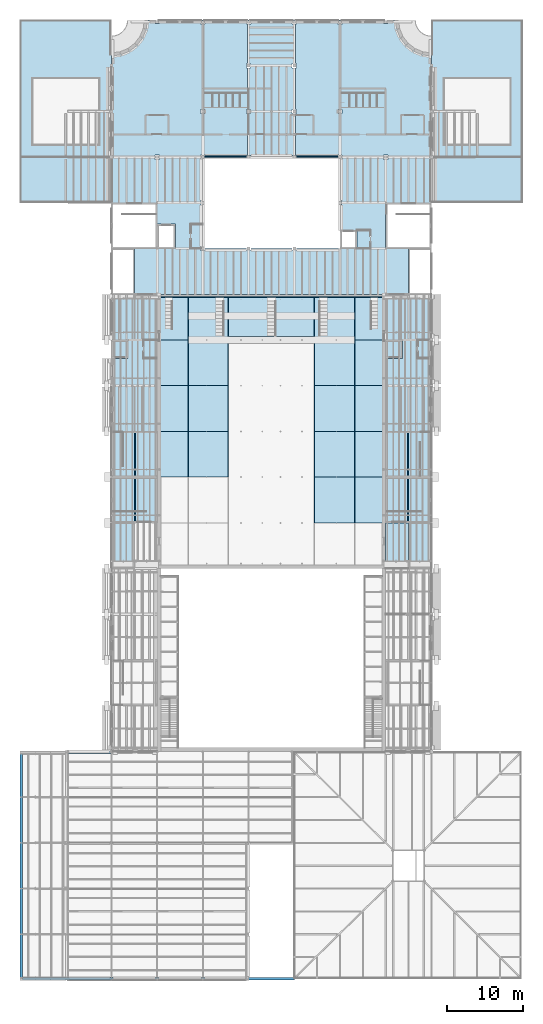
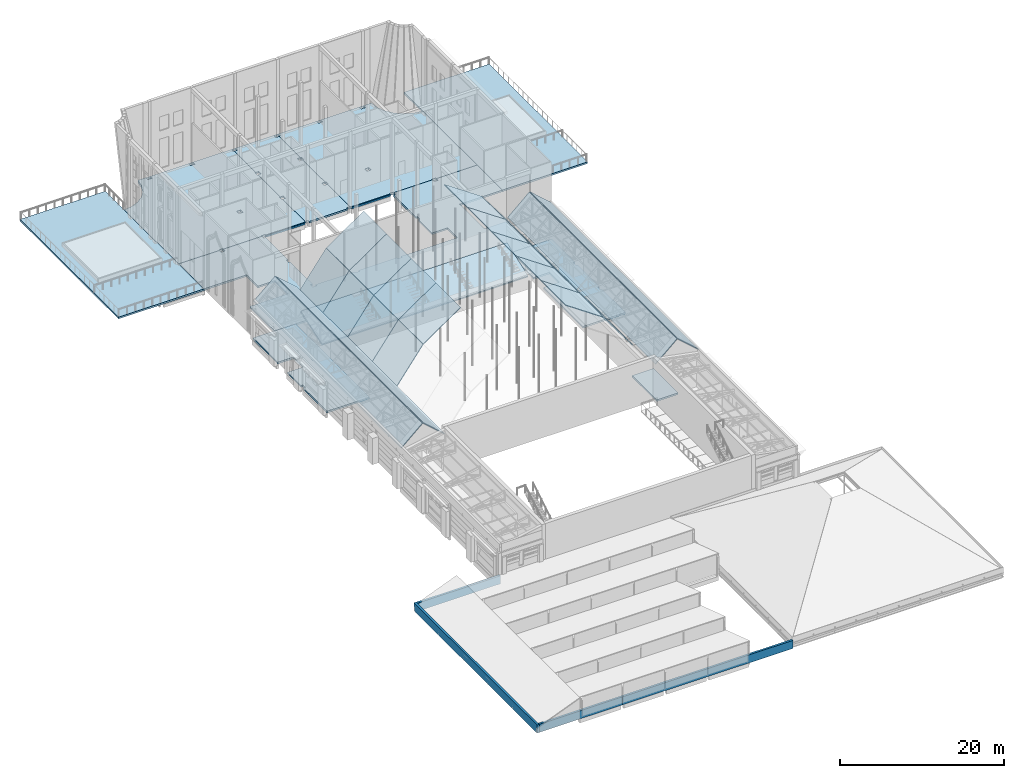
# One storey, part 59 of 118: 34 slabs, 4 walls, 3 elements without a shape of their own.
"""IFC4 building model written with IfcOpenShell, lengths in metres."""

from ifc_helpers import new_model, si_unit, direction, frame, frame_2d, origin, place, context, subcontext, project, spatial, polyline, rectangle, outline, extrude, material, layer, layer_set, type_object, element, aggregate, save


model = new_model("IFC4")

# Units and contexts
model_context = context("Model", 3, precision=1e-05, world=origin(), true_north=direction((0.0, 1.0)))
body_context = subcontext(model_context, "Body", "Model", "MODEL_VIEW")
ifc_project = project(units=[si_unit("LENGTHUNIT", "METRE"), si_unit("AREAUNIT", "SQUARE_METRE"), si_unit("VOLUMEUNIT", "CUBIC_METRE"), si_unit("PLANEANGLEUNIT", "RADIAN"), si_unit("MASSUNIT", "GRAM", prefix="KILO")], contexts=[model_context])

# Site, building, storey
site_placement = place(None, origin())
site = spatial("IfcSite", under=ifc_project, at=site_placement, CompositionType="ELEMENT")
building_placement = place(site_placement, origin())
building = spatial("IfcBuilding", under=site, at=building_placement, Name="Saffron Lane Theatres", CompositionType="ELEMENT")
storey_placement = place(building_placement, frame((0.0, 0.0, 16.5)))
storey = spatial("IfcBuildingStorey", under=building, at=storey_placement, Name="L03", CompositionType="ELEMENT", Elevation=16.5)

# Slabs
ifc_material_1 = material(Name="Concrete N40 (40 MPa)", Category="concrete")
ifc_layer_1 = layer(ifc_material_1, 0.25)
ifc_layer_set_1 = layer_set([ifc_layer_1], Name="Concrete N40 (40 MPa)")
slab_type_1 = type_object("IfcSlabType", Name="RC-SLAB FLOOR 250", PredefinedType="FLOOR", material=ifc_layer_set_1)
slab_1_placement = place(storey_placement, frame((0.0, 0.0, -0.25)))
element("IfcSlab", 1, at=slab_1_placement, inside=storey, type_object=slab_type_1, Name="slab-L03-AUD-2", PredefinedType="FLOOR", context=body_context, shape_type="SweptSolid", body=[
    extrude(outline(polyline([(48.0, 54.5), (48.0, 54.0), (51.0, 54.0), (51.0, 60.0), (48.0, 60.0), (48.0, 54.5)])), origin(), (0.0, 0.0, 1.0), 0.25),
])
slab_2_placement = place(storey_placement, frame((0.0, 0.0, -0.25)))
element("IfcSlab", 2, at=slab_2_placement, inside=storey, type_object=slab_type_1, Name="slab-L03-AUD-3", PredefinedType="FLOOR", context=body_context, shape_type="SweptSolid", body=[
    extrude(outline(polyline([(18.0, 72.0), (18.0, 90.0), (15.0, 90.0), (12.0, 90.0), (12.0, 84.0), (14.199951171875, 84.0), (14.199951171875, 81.60009765625), (12.0, 81.60009765625), (12.0, 78.302001953125), (12.22705078125, 78.302001953125), (12.22705078125, 77.697998046875), (12.0, 77.697998046875), (12.0, 72.0), (18.0, 72.0)])), origin(), (0.0, 0.0, 1.0), 0.25),
])
slab_3_placement = place(storey_placement, frame((0.0, 0.0, -0.25)))
element("IfcSlab", 3, at=slab_3_placement, inside=storey, type_object=slab_type_1, Name="slab-L03-AUD-4", PredefinedType="FLOOR", context=body_context, shape_type="SweptSolid", body=[
    extrude(outline(polyline([(48.0, 72.0), (54.0, 72.0), (54.0, 77.697998046875), (53.77294921875, 77.697998046875), (53.77294921875, 78.302001953125), (54.0, 78.302001953125), (54.0, 83.697998046875), (53.77294921875, 83.697998046875), (53.77294921875, 84.302001953125), (54.0, 84.302001953125), (54.0, 90.0), (51.0, 90.0), (48.0, 90.0), (48.0, 84.0), (50.199951171875, 84.0), (50.199951171875, 81.60009765625), (48.0, 81.60009765625), (48.0, 72.0)])), origin(), (0.0, 0.0, 1.0), 0.25),
])
slab_4_placement = place(storey_placement, frame((0.0, 0.0, -0.25)))
element("IfcSlab", 4, at=slab_4_placement, inside=storey, type_object=slab_type_1, Name="slab-L03-BRICK-1", PredefinedType="FLOOR", context=body_context, shape_type="SweptSolid", body=[
    extrude(outline(polyline([(18.5, 90.0), (47.5, 90.0), (48.0, 90.0), (51.0, 90.0), (51.0, 96.0), (48.0, 96.0), (48.0, 102.0), (54.0, 102.0), (54.0, 108.14990234375), (48.277099609375, 108.14990234375), (48.277099609375, 107.722900390625), (47.722900390625, 107.722900390625), (47.722900390625, 108.14990234375), (42.277099609375, 108.14990234375), (42.277099609375, 107.722900390625), (42.0, 107.722900390625), (42.0, 102.302001953125), (42.22705078125, 102.302001953125), (42.22705078125, 101.697998046875), (42.0, 101.697998046875), (42.0, 98.39990234375), (44.199951171875, 98.39990234375), (44.199951171875, 96.0), (42.0, 96.0), (36.302001953125, 96.0), (36.302001953125, 95.77294921875), (35.697998046875, 95.77294921875), (35.697998046875, 96.0), (30.302001953125, 96.0), (30.302001953125, 95.77294921875), (29.697998046875, 95.77294921875), (29.697998046875, 96.0), (24.277099609375, 96.0), (24.277099609375, 95.722900390625), (23.722900390625, 95.722900390625), (23.722900390625, 96.277099609375), (24.0, 96.277099609375), (24.0, 101.697998046875), (23.77294921875, 101.697998046875), (23.77294921875, 102.302001953125), (24.0, 102.302001953125), (24.0, 107.722900390625), (23.722900390625, 107.722900390625), (23.722900390625, 108.14990234375), (18.277099609375, 108.14990234375), (18.277099609375, 107.722900390625), (17.722900390625, 107.722900390625), (17.722900390625, 108.14990234375), (12.0, 108.14990234375), (12.0, 102.0), (18.0, 102.0), (18.0, 99.199951171875), (20.39990234375, 99.199951171875), (20.39990234375, 96.0), (18.0, 96.0), (15.0, 96.0), (15.0, 90.0), (18.0, 90.0), (18.5, 90.0)])), origin(), (0.0, 0.0, 1.0), 0.25),
])
slab_5_placement = place(storey_placement, frame((0.0, 0.0, -0.25)))
element("IfcSlab", 5, at=slab_5_placement, inside=storey, type_object=slab_type_1, Name="slab-L03-BRICK-2", PredefinedType="FLOOR", context=body_context, shape_type="SweptSolid", body=[
    extrude(outline(polyline([(24.277099609375, 108.0), (29.697998046875, 108.0), (29.697998046875, 108.14990234375), (24.277099609375, 108.14990234375), (24.277099609375, 108.0)])), origin(), (0.0, 0.0, 1.0), 0.25),
])
slab_6_placement = place(storey_placement, frame((0.0, 0.0, -0.25)))
element("IfcSlab", 6, at=slab_6_placement, inside=storey, type_object=slab_type_1, Name="slab-L03-BRICK-3", PredefinedType="FLOOR", context=body_context, shape_type="SweptSolid", body=[
    extrude(outline(polyline([(36.14990234375, 125.951416015625), (36.14990234375, 125.99951171875), (29.85009765625, 125.99951171875), (29.85009765625, 125.951416015625), (30.302001953125, 125.951416015625), (30.302001953125, 125.49755859375), (29.85009765625, 125.49755859375), (29.85009765625, 120.277099609375), (30.277099609375, 120.277099609375), (30.277099609375, 119.722900390625), (29.85009765625, 119.722900390625), (29.85009765625, 114.277099609375), (30.277099609375, 114.277099609375), (30.277099609375, 113.722900390625), (29.85009765625, 113.722900390625), (29.85009765625, 108.22705078125), (30.302001953125, 108.22705078125), (30.302001953125, 108.0), (35.697998046875, 108.0), (35.697998046875, 108.22705078125), (36.14990234375, 108.22705078125), (36.14990234375, 113.722900390625), (35.722900390625, 113.722900390625), (35.722900390625, 114.277099609375), (36.14990234375, 114.277099609375), (36.14990234375, 119.722900390625), (35.722900390625, 119.722900390625), (35.722900390625, 120.277099609375), (36.14990234375, 120.277099609375), (36.14990234375, 125.49755859375), (35.697998046875, 125.49755859375), (35.697998046875, 125.951416015625), (36.14990234375, 125.951416015625)])), origin(), (0.0, 0.0, 1.0), 0.25),
])
slab_7_placement = place(storey_placement, frame((0.0, 0.0, -0.25)))
element("IfcSlab", 7, at=slab_7_placement, inside=storey, type_object=slab_type_1, Name="slab-L03-BRICK-4", PredefinedType="FLOOR", context=body_context, shape_type="SweptSolid", body=[
    extrude(outline(polyline([(36.302001953125, 108.0), (41.722900390625, 108.0), (41.722900390625, 108.14990234375), (36.302001953125, 108.14990234375), (36.302001953125, 108.0)])), origin(), (0.0, 0.0, 1.0), 0.25),
])
ifc_material_2 = material(Name="Concrete N40 (40 MPa)", Category="concrete")
ifc_layer_2 = layer(ifc_material_2, 0.35009765625)
ifc_layer_set_2 = layer_set([ifc_layer_2], Name="Concrete N40 (40 MPa)")
slab_type_2 = type_object("IfcSlabType", Name="RC-SLAB FLOOR 350", PredefinedType="FLOOR", material=ifc_layer_set_2)
slab_8_placement = place(storey_placement, frame((0.0, 0.0, -0.35009765625)))
element("IfcSlab", 8, at=slab_8_placement, inside=storey, type_object=slab_type_2, Name="slab-L03-BRICK-front-1", PredefinedType="FLOOR", context=body_context, shape_type="SweptSolid", body=[
    extrude(outline(polyline([(13.181884765625, 121.588623046875), (12.0, 121.43310546875), (12.0, 108.14990234375), (17.722900390625, 108.14990234375), (17.722900390625, 108.277099609375), (18.277099609375, 108.277099609375), (18.277099609375, 108.14990234375), (23.722900390625, 108.14990234375), (23.722900390625, 108.277099609375), (24.277099609375, 108.277099609375), (24.277099609375, 108.14990234375), (29.697998046875, 108.14990234375), (29.697998046875, 108.22705078125), (29.85009765625, 108.22705078125), (29.85009765625, 113.722900390625), (29.722900390625, 113.722900390625), (29.722900390625, 114.277099609375), (29.85009765625, 114.277099609375), (29.85009765625, 119.722900390625), (29.722900390625, 119.722900390625), (29.722900390625, 120.277099609375), (29.85009765625, 120.277099609375), (29.85009765625, 125.49755859375), (29.697998046875, 125.49755859375), (29.697998046875, 125.951416015625), (29.85009765625, 125.951416015625), (29.85009765625, 125.99951171875), (16.56640625, 125.99951171875), (16.410888671875, 124.817626953125), (15.95458984375, 123.71630859375), (15.22900390625, 122.7705078125), (14.283203125, 122.044921875), (13.181884765625, 121.588623046875)]), holes=[polyline([(24.302001953125, 125.951416015625), (24.302001953125, 125.49755859375), (23.697998046875, 125.49755859375), (23.697998046875, 125.951416015625), (24.302001953125, 125.951416015625)]), polyline([(24.277099609375, 114.277099609375), (24.277099609375, 113.722900390625), (23.722900390625, 113.722900390625), (23.722900390625, 114.277099609375), (24.277099609375, 114.277099609375)]), polyline([(18.302001953125, 125.9765625), (18.302001953125, 125.5224609375), (17.697998046875, 125.5224609375), (17.697998046875, 125.9765625), (18.302001953125, 125.9765625)])]), origin(), (0.0, 0.0, 1.0), 0.35009765625),
])
slab_9_placement = place(storey_placement, frame((0.0, 0.0, -0.35009765625)))
element("IfcSlab", 9, at=slab_9_placement, inside=storey, type_object=slab_type_2, Name="slab-L03-BRICK-front-2", PredefinedType="FLOOR", context=body_context, shape_type="SweptSolid", body=[
    extrude(outline(polyline([(49.589111328125, 124.817626953125), (49.43359375, 125.99951171875), (36.14990234375, 125.99951171875), (36.14990234375, 125.951416015625), (36.302001953125, 125.951416015625), (36.302001953125, 125.49755859375), (36.14990234375, 125.49755859375), (36.14990234375, 120.277099609375), (36.277099609375, 120.277099609375), (36.277099609375, 119.722900390625), (36.14990234375, 119.722900390625), (36.14990234375, 114.277099609375), (36.277099609375, 114.277099609375), (36.277099609375, 113.722900390625), (36.14990234375, 113.722900390625), (36.14990234375, 108.22705078125), (36.302001953125, 108.22705078125), (36.302001953125, 108.14990234375), (41.722900390625, 108.14990234375), (41.722900390625, 108.277099609375), (42.277099609375, 108.277099609375), (42.277099609375, 108.14990234375), (47.722900390625, 108.14990234375), (47.722900390625, 108.277099609375), (48.277099609375, 108.277099609375), (48.277099609375, 108.14990234375), (54.0, 108.14990234375), (54.0, 121.43310546875), (52.818115234375, 121.588623046875), (51.716796875, 122.044921875), (50.77099609375, 122.7705078125), (50.04541015625, 123.71630859375), (49.589111328125, 124.817626953125)]), holes=[polyline([(48.302001953125, 125.5224609375), (47.697998046875, 125.5224609375), (47.697998046875, 125.9765625), (48.302001953125, 125.9765625), (48.302001953125, 125.5224609375)]), polyline([(42.302001953125, 125.951416015625), (42.302001953125, 125.49755859375), (41.697998046875, 125.49755859375), (41.697998046875, 125.951416015625), (42.302001953125, 125.951416015625)]), polyline([(42.277099609375, 114.277099609375), (42.277099609375, 113.722900390625), (41.722900390625, 113.722900390625), (41.722900390625, 114.277099609375), (42.277099609375, 114.277099609375)])]), origin(), (0.0, 0.0, 1.0), 0.35009765625),
])
ifc_material_3 = material(Name="Concrete N40 (40 MPa)", Category="concrete")
ifc_layer_3 = layer(ifc_material_3, 0.25)
ifc_layer_set_3 = layer_set([ifc_layer_3], Name="Concrete N40 (40 MPa)")
slab_type_3 = type_object("IfcSlabType", Name="RC-SLAB ROOF 250", PredefinedType="ROOF", material=ifc_layer_set_3)
slab_10_placement = place(storey_placement, frame((0.0, 0.0, -0.25)))
element("IfcSlab", 10, at=slab_10_placement, inside=storey, type_object=slab_type_3, Name="roofslab-roof-wing-w", PredefinedType="ROOF", context=body_context, shape_type="SweptSolid", body=[
    extrude(outline(polyline([(12.0, 102.0), (12.0, 125.99951171875), (0.00048828125, 125.99951171875), (0.00048828125, 102.0), (12.0, 102.0)])), origin(), (0.0, 0.0, 1.0), 0.25),
])
slab_11_placement = place(storey_placement, frame((0.0, 0.0, -0.25)))
element("IfcSlab", 11, at=slab_11_placement, inside=storey, type_object=slab_type_3, Name="roofslab-roof-wing-e", PredefinedType="ROOF", context=body_context, shape_type="SweptSolid", body=[
    extrude(outline(polyline([(54.0, 102.0), (65.99951171875, 102.0), (65.99951171875, 125.99951171875), (54.0, 125.99951171875), (54.0, 102.0)])), origin(), (0.0, 0.0, 1.0), 0.25),
])
ifc_material_4 = material(Name="Concrete N40 (40 MPa)", Category="concrete")
ifc_layer_4 = layer(ifc_material_4, 0.25)
ifc_layer_set_4 = layer_set([ifc_layer_4], Name="Concrete N40 (40 MPa)")
slab_type_4 = type_object("IfcSlabType", Name="RC-SLAB TIER 250", PredefinedType="NOTDEFINED", material=ifc_layer_set_4)
slab_12_placement = place(storey_placement, frame((18.5, 84.449951171875, 0.157470703125), z_axis=(0.0, -0.330340459589, 0.943861844106), x_axis=(1.0, 0.0, 0.0)))
element("IfcSlab", 12, at=slab_12_placement, inside=storey, type_object=slab_type_4, Name="Upper Circle Deck", ObjectType="SEATING TIER", PredefinedType="NOTDEFINED", context=body_context, shape_type="SweptSolid", body=[
    extrude(outline(polyline([(0.0, 0.0), (29.0, 0.0), (29.0, 5.456462210584567), (0.0, 5.456462210584567), (0.0, 0.0)])), origin(), (0.0, 0.0, -1.0), 0.25),
])

# Roof, slabs
roof_1_placement = place(storey_placement, origin())
roof_1 = element("IfcRoof", 13, at=roof_1_placement, inside=storey, Name="SB1-R1", PredefinedType="GABLE_ROOF")
ifc_material_5 = material(Name="Steel Grade 350 insulated roof deck", Category="steel")
ifc_layer_5 = layer(ifc_material_5, 0.10009765625)
ifc_layer_set_5 = layer_set([ifc_layer_5], Name="Steel Grade 350 insulated roof deck")
slab_type_5 = type_object("IfcSlabType", Name="ST-STUDIO ROOF DECK", PredefinedType="ROOF", material=ifc_layer_set_5)
slab_13_placement = place(storey_placement, frame((12.0, 54.0, 5.4248046875), z_axis=(-0.663408465914, 0.0, 0.748257447243), x_axis=(0.748257447243, 0.0, 0.663408465914)))
slab_13 = element("IfcSlab", 14, at=slab_13_placement, type_object=slab_type_5, Name="SB1-D1", PredefinedType="ROOF", context=body_context, shape_type="SweptSolid", body=[
    extrude(outline(polyline([(0.0, 0.0), (4.062824999207095, 0.0), (4.062824999207095, 36.0), (0.0, 36.0), (0.0, 0.0)])), origin(), (0.0, 0.0, -1.0), 0.10009765625),
])
slab_14_placement = place(storey_placement, frame((15.159912109375, 54.0, 8.1201171875), z_axis=(0.663408465914, 0.0, 0.748257447243), x_axis=(0.748257447243, 0.0, -0.663408465914)))
slab_14 = element("IfcSlab", 15, at=slab_14_placement, type_object=slab_type_5, Name="SB1-D2", PredefinedType="ROOF", context=body_context, shape_type="SweptSolid", body=[
    extrude(outline(polyline([(0.0, 0.0), (4.062824999207095, 0.0), (4.062824999207095, 36.0), (0.0, 36.0), (0.0, 0.0)])), origin(), (0.0, 0.0, -1.0), 0.10009765625),
])
aggregate(roof_1, [slab_13, slab_14])

roof_2_placement = place(storey_placement, origin())
roof_2 = element("IfcRoof", 16, at=roof_2_placement, inside=storey, Name="SB2-R1", PredefinedType="GABLE_ROOF")
slab_15_placement = place(storey_placement, frame((54.0, 54.0, 5.4248046875), z_axis=(0.663408465914, 0.0, 0.748257447243), x_axis=(-0.748257447243, 0.0, 0.663408465914)))
slab_15 = element("IfcSlab", 17, at=slab_15_placement, type_object=slab_type_5, Name="SB2-D1", PredefinedType="ROOF", context=body_context, shape_type="SweptSolid", body=[
    extrude(outline(polyline([(0.0, 0.0), (4.062824999207095, 0.0), (4.062824999207095, -36.0), (0.0, -36.0), (0.0, 0.0)])), origin(), (0.0, 0.0, -1.0), 0.10009765625),
])
slab_16_placement = place(storey_placement, frame((50.840087890625, 54.0, 8.1201171875), z_axis=(-0.663408465914, 0.0, 0.748257447243), x_axis=(-0.748257447243, 0.0, -0.663408465914)))
slab_16 = element("IfcSlab", 18, at=slab_16_placement, type_object=slab_type_5, Name="SB2-D2", PredefinedType="ROOF", context=body_context, shape_type="SweptSolid", body=[
    extrude(outline(polyline([(0.0, 0.0), (4.062824999207095, 0.0), (4.062824999207095, -36.0), (0.0, -36.0), (0.0, 0.0)])), origin(), (0.0, 0.0, -1.0), 0.10009765625),
])
aggregate(roof_2, [slab_15, slab_16])

roof_3_placement = place(storey_placement, origin())
roof_3 = element("IfcRoof", 19, at=roof_3_placement, inside=storey, Name="Barrel vault V1", PredefinedType="BARREL_ROOF")
ifc_material_6 = material(Name="Steel Grade 350 insulated roof deck", Category="steel")
ifc_layer_6 = layer(ifc_material_6, 0.10009765625)
ifc_layer_set_6 = layer_set([ifc_layer_6], Name="Steel Grade 350 insulated roof deck")
slab_type_6 = type_object("IfcSlabType", Name="ST-VAULT DECK", PredefinedType="ROOF", material=ifc_layer_set_6)
slab_17_placement = place(storey_placement, frame((38.67626953125, 60.0, 13.746337890625), z_axis=(0.567334607159, 0.0, 0.823487366946), x_axis=(0.823487366946, 0.0, -0.567334607159)))
slab_17 = element("IfcSlab", 20, at=slab_17_placement, type_object=slab_type_6, Name="VD2G", PredefinedType="ROOF", context=body_context, shape_type="SweptSolid", body=[
    extrude(outline(polyline([(0.0, 0.0), (6.388666710987062, 0.0), (6.388666710987062, 6.0), (0.0, 6.0), (0.0, 0.0)])), origin(), (0.0, 0.0, -1.0), 0.10009765625),
])
slab_18_placement = place(storey_placement, frame((43.9609375, 60.0, 10.09912109375), z_axis=(0.802199961545, 0.0, 0.597055459481), x_axis=(0.597055459481, 0.0, -0.802199961545)))
slab_18 = element("IfcSlab", 21, at=slab_18_placement, type_object=slab_type_6, Name="VD2H", PredefinedType="ROOF", context=body_context, shape_type="SweptSolid", body=[
    extrude(outline(polyline([(0.0, 0.0), (6.868015143956255, 0.0), (6.868015143956255, 5.999999999999999), (0.0, 5.999999999999999), (0.0, 0.0)])), origin(), (0.0, 0.0, -1.0), 0.10009765625),
])
slab_19_placement = place(storey_placement, frame((17.9384765625, 66.0, 4.589599609375), z_axis=(-0.802199961545, 0.0, 0.597055459481), x_axis=(0.597055459481, 0.0, 0.802199961545)))
slab_19 = element("IfcSlab", 22, at=slab_19_placement, type_object=slab_type_6, Name="VD3A", PredefinedType="ROOF", context=body_context, shape_type="SweptSolid", body=[
    extrude(outline(polyline([(0.0, 0.0), (6.868015143956255, 0.0), (6.868015143956255, 5.999999999999999), (0.0, 5.999999999999999), (0.0, 0.0)])), origin(), (0.0, 0.0, -1.0), 0.10009765625),
])
slab_20_placement = place(storey_placement, frame((22.062744140625, 66.0, 10.121826171875), z_axis=(-0.567334607159, 0.0, 0.823487366946), x_axis=(0.823487366946, 0.0, 0.567334607159)))
slab_20 = element("IfcSlab", 23, at=slab_20_placement, type_object=slab_type_6, Name="VD3B", PredefinedType="ROOF", context=body_context, shape_type="SweptSolid", body=[
    extrude(outline(polyline([(0.0, 0.0), (6.388666710987062, 0.0), (6.388666710987062, 6.0), (0.0, 6.0), (0.0, 0.0)])), origin(), (0.0, 0.0, -1.0), 0.10009765625),
])
slab_21_placement = place(storey_placement, frame((38.67626953125, 66.0, 13.746337890625), z_axis=(0.567334607159, 0.0, 0.823487366946), x_axis=(0.823487366946, 0.0, -0.567334607159)))
slab_21 = element("IfcSlab", 24, at=slab_21_placement, type_object=slab_type_6, Name="VD3G", PredefinedType="ROOF", context=body_context, shape_type="SweptSolid", body=[
    extrude(outline(polyline([(0.0, 0.0), (6.388666710987062, 0.0), (6.388666710987062, 6.0), (0.0, 6.0), (0.0, 0.0)])), origin(), (0.0, 0.0, -1.0), 0.10009765625),
])
slab_22_placement = place(storey_placement, frame((43.9609375, 66.0, 10.09912109375), z_axis=(0.802199961545, 0.0, 0.597055459481), x_axis=(0.597055459481, 0.0, -0.802199961545)))
slab_22 = element("IfcSlab", 25, at=slab_22_placement, type_object=slab_type_6, Name="VD3H", PredefinedType="ROOF", context=body_context, shape_type="SweptSolid", body=[
    extrude(outline(polyline([(0.0, 0.0), (6.868015143956255, 0.0), (6.868015143956255, 5.999999999999999), (0.0, 5.999999999999999), (0.0, 0.0)])), origin(), (0.0, 0.0, -1.0), 0.10009765625),
])
slab_23_placement = place(storey_placement, frame((17.9384765625, 72.0, 4.589599609375), z_axis=(-0.802199961545, 0.0, 0.597055459481), x_axis=(0.597055459481, 0.0, 0.802199961545)))
slab_23 = element("IfcSlab", 26, at=slab_23_placement, type_object=slab_type_6, Name="VD4A", PredefinedType="ROOF", context=body_context, shape_type="SweptSolid", body=[
    extrude(outline(polyline([(0.0, 0.0), (6.868015143956255, 0.0), (6.868015143956255, 5.999999999999999), (0.0, 5.999999999999999), (0.0, 0.0)])), origin(), (0.0, 0.0, -1.0), 0.10009765625),
])
slab_24_placement = place(storey_placement, frame((22.062744140625, 72.0, 10.121826171875), z_axis=(-0.567334607159, 0.0, 0.823487366946), x_axis=(0.823487366946, 0.0, 0.567334607159)))
slab_24 = element("IfcSlab", 27, at=slab_24_placement, type_object=slab_type_6, Name="VD4B", PredefinedType="ROOF", context=body_context, shape_type="SweptSolid", body=[
    extrude(outline(polyline([(0.0, 0.0), (6.388666710987062, 0.0), (6.388666710987062, 6.0), (0.0, 6.0), (0.0, 0.0)])), origin(), (0.0, 0.0, -1.0), 0.10009765625),
])
slab_25_placement = place(storey_placement, frame((38.67626953125, 72.0, 13.746337890625), z_axis=(0.567334607159, 0.0, 0.823487366946), x_axis=(0.823487366946, 0.0, -0.567334607159)))
slab_25 = element("IfcSlab", 28, at=slab_25_placement, type_object=slab_type_6, Name="VD4G", PredefinedType="ROOF", context=body_context, shape_type="SweptSolid", body=[
    extrude(outline(polyline([(0.0, 0.0), (6.388666710987062, 0.0), (6.388666710987062, 6.0), (0.0, 6.0), (0.0, 0.0)])), origin(), (0.0, 0.0, -1.0), 0.10009765625),
])
slab_26_placement = place(storey_placement, frame((43.9609375, 72.0, 10.09912109375), z_axis=(0.802199961545, 0.0, 0.597055459481), x_axis=(0.597055459481, 0.0, -0.802199961545)))
slab_26 = element("IfcSlab", 29, at=slab_26_placement, type_object=slab_type_6, Name="VD4H", PredefinedType="ROOF", context=body_context, shape_type="SweptSolid", body=[
    extrude(outline(polyline([(0.0, 0.0), (6.868015143956255, 0.0), (6.868015143956255, 5.999999999999999), (0.0, 5.999999999999999), (0.0, 0.0)])), origin(), (0.0, 0.0, -1.0), 0.10009765625),
])
slab_27_placement = place(storey_placement, frame((17.9384765625, 78.0, 4.589599609375), z_axis=(-0.802199961545, 0.0, 0.597055459481), x_axis=(0.597055459481, 0.0, 0.802199961545)))
slab_27 = element("IfcSlab", 30, at=slab_27_placement, type_object=slab_type_6, Name="VD5A", PredefinedType="ROOF", context=body_context, shape_type="SweptSolid", body=[
    extrude(outline(polyline([(0.0, 0.0), (6.868015143956255, 0.0), (6.868015143956255, 5.999999999999999), (0.0, 5.999999999999999), (0.0, 0.0)])), origin(), (0.0, 0.0, -1.0), 0.10009765625),
])
slab_28_placement = place(storey_placement, frame((22.062744140625, 78.0, 10.121826171875), z_axis=(-0.567334607159, 0.0, 0.823487366946), x_axis=(0.823487366946, 0.0, 0.567334607159)))
slab_28 = element("IfcSlab", 31, at=slab_28_placement, type_object=slab_type_6, Name="VD5B", PredefinedType="ROOF", context=body_context, shape_type="SweptSolid", body=[
    extrude(outline(polyline([(0.0, 0.0), (6.388666710987062, 0.0), (6.388666710987062, 6.0), (0.0, 6.0), (0.0, 0.0)])), origin(), (0.0, 0.0, -1.0), 0.10009765625),
])
slab_29_placement = place(storey_placement, frame((38.67626953125, 78.0, 13.746337890625), z_axis=(0.567334607159, 0.0, 0.823487366946), x_axis=(0.823487366946, 0.0, -0.567334607159)))
slab_29 = element("IfcSlab", 32, at=slab_29_placement, type_object=slab_type_6, Name="VD5G", PredefinedType="ROOF", context=body_context, shape_type="SweptSolid", body=[
    extrude(outline(polyline([(0.0, 0.0), (6.388666710987062, 0.0), (6.388666710987062, 6.0), (0.0, 6.0), (0.0, 0.0)])), origin(), (0.0, 0.0, -1.0), 0.10009765625),
])
slab_30_placement = place(storey_placement, frame((43.9609375, 78.0, 10.09912109375), z_axis=(0.802199961545, 0.0, 0.597055459481), x_axis=(0.597055459481, 0.0, -0.802199961545)))
slab_30 = element("IfcSlab", 33, at=slab_30_placement, type_object=slab_type_6, Name="VD5H", PredefinedType="ROOF", context=body_context, shape_type="SweptSolid", body=[
    extrude(outline(polyline([(0.0, 0.0), (6.868015143956255, 0.0), (6.868015143956255, 5.999999999999999), (0.0, 5.999999999999999), (0.0, 0.0)])), origin(), (0.0, 0.0, -1.0), 0.10009765625),
])
slab_31_placement = place(storey_placement, frame((17.9384765625, 84.0, 4.589599609375), z_axis=(-0.802199961545, 0.0, 0.597055459481), x_axis=(0.597055459481, 0.0, 0.802199961545)))
slab_31 = element("IfcSlab", 34, at=slab_31_placement, type_object=slab_type_6, Name="VD6A", PredefinedType="ROOF", context=body_context, shape_type="SweptSolid", body=[
    extrude(outline(polyline([(0.0, 0.0), (6.868015143956255, 0.0), (6.868015143956255, 5.60009765625), (0.0, 5.60009765625), (0.0, 0.0)])), origin(), (0.0, 0.0, -1.0), 0.10009765625),
])
slab_32_placement = place(storey_placement, frame((22.062744140625, 84.0, 10.121826171875), z_axis=(-0.567334607159, 0.0, 0.823487366946), x_axis=(0.823487366946, 0.0, 0.567334607159)))
slab_32 = element("IfcSlab", 35, at=slab_32_placement, type_object=slab_type_6, Name="VD6B", PredefinedType="ROOF", context=body_context, shape_type="SweptSolid", body=[
    extrude(outline(polyline([(0.0, 0.0), (6.388666710987062, 0.0), (6.388666710987062, 5.60009765625), (0.0, 5.60009765625), (0.0, 0.0)])), origin(), (0.0, 0.0, -1.0), 0.10009765625),
])
slab_33_placement = place(storey_placement, frame((38.67626953125, 84.0, 13.746337890625), z_axis=(0.567334607159, 0.0, 0.823487366946), x_axis=(0.823487366946, 0.0, -0.567334607159)))
slab_33 = element("IfcSlab", 36, at=slab_33_placement, type_object=slab_type_6, Name="VD6G", PredefinedType="ROOF", context=body_context, shape_type="SweptSolid", body=[
    extrude(outline(polyline([(0.0, 0.0), (6.388666710987062, 0.0), (6.388666710987062, 5.60009765625), (0.0, 5.60009765625), (0.0, 0.0)])), origin(), (0.0, 0.0, -1.0), 0.10009765625),
])
slab_34_placement = place(storey_placement, frame((43.9609375, 84.0, 10.09912109375), z_axis=(0.802199961545, 0.0, 0.597055459481), x_axis=(0.597055459481, 0.0, -0.802199961545)))
slab_34 = element("IfcSlab", 37, at=slab_34_placement, type_object=slab_type_6, Name="VD6H", PredefinedType="ROOF", context=body_context, shape_type="SweptSolid", body=[
    extrude(outline(polyline([(0.0, 0.0), (6.868015143956255, 0.0), (6.868015143956255, 5.60009765625), (0.0, 5.60009765625), (0.0, 0.0)])), origin(), (0.0, 0.0, -1.0), 0.10009765625),
])
aggregate(roof_3, [slab_17, slab_18, slab_19, slab_20, slab_21, slab_22, slab_23, slab_24, slab_25, slab_26, slab_27, slab_28, slab_29, slab_30, slab_31, slab_32, slab_33, slab_34])

# Walls
ifc_material_7 = material(Name="Masonry pale clay brick", Category="masonry")
ifc_layer_7 = layer(ifc_material_7, 0.11, Name="outer leaf")
ifc_layer_8 = layer(ifc_material_7, 0.08, Name="core")
ifc_layer_9 = layer(ifc_material_7, 0.11, Name="inner leaf")
ifc_layer_set_7 = layer_set([ifc_layer_7, ifc_layer_8, ifc_layer_9], Name="Masonry pale clay brick")
wall_type = type_object("IfcWallType", Name="EX-PARAPET BRICK 300", PredefinedType="PARAPET", material=ifc_layer_set_7)
wall_1_placement = place(storey_placement, frame((0.152099609375, 0.001953125, 0.0), z_axis=(0.0, 0.0, 1.0), x_axis=(0.0, 1.0, 0.0)))
element("IfcWall", 38, at=wall_1_placement, inside=storey, type_object=wall_type, Name="Parapet workshop roof", PredefinedType="PARAPET", context=body_context, shape_type="SweptSolid", body=[
    extrude(rectangle(XDim=29.998046875, YDim=0.300048828125, at=frame_2d((14.9990234375, 0.0))), origin(), (0.0, 0.0, 1.0), 1.199951171875),
])
wall_2_placement = place(storey_placement, frame((0.300048828125, 0.152099609375, 0.0), z_axis=(0.0, 0.0, 1.0), x_axis=(1.0, 0.0, 0.0)))
element("IfcWall", 39, at=wall_2_placement, inside=storey, type_object=wall_type, Name="Parapet workshop roof", PredefinedType="PARAPET", context=body_context, shape_type="SweptSolid", body=[
    extrude(rectangle(XDim=11.699951171875, YDim=0.300048828125, at=frame_2d((5.85009765625, 0.0))), origin(), (0.0, 0.0, 1.0), 1.199951171875),
])
wall_3_placement = place(storey_placement, frame((12.0, 0.152099609375, 0.0), z_axis=(0.0, 0.0, 1.0), x_axis=(1.0, 0.0, 0.0)))
element("IfcWall", 40, at=wall_3_placement, inside=storey, type_object=wall_type, Name="Parapet workshop roof", PredefinedType="PARAPET", context=body_context, shape_type="SweptSolid", body=[
    extrude(rectangle(XDim=24.0, YDim=0.300048828125, at=frame_2d((12.0, 0.0))), origin(), (0.0, 0.0, 1.0), 1.199951171875),
])
wall_4_placement = place(storey_placement, frame((0.300048828125, 29.85009765625, 0.0), z_axis=(0.0, 0.0, 1.0), x_axis=(1.0, 0.0, 0.0)))
element("IfcWall", 41, at=wall_4_placement, inside=storey, type_object=wall_type, Name="Parapet workshop roof", PredefinedType="PARAPET", context=body_context, shape_type="SweptSolid", body=[
    extrude(rectangle(XDim=11.699951171875, YDim=0.300048828125, at=frame_2d((5.85009765625, 0.0))), origin(), (0.0, 0.0, 1.0), 1.199951171875),
])

save(model, "model.ifc")
